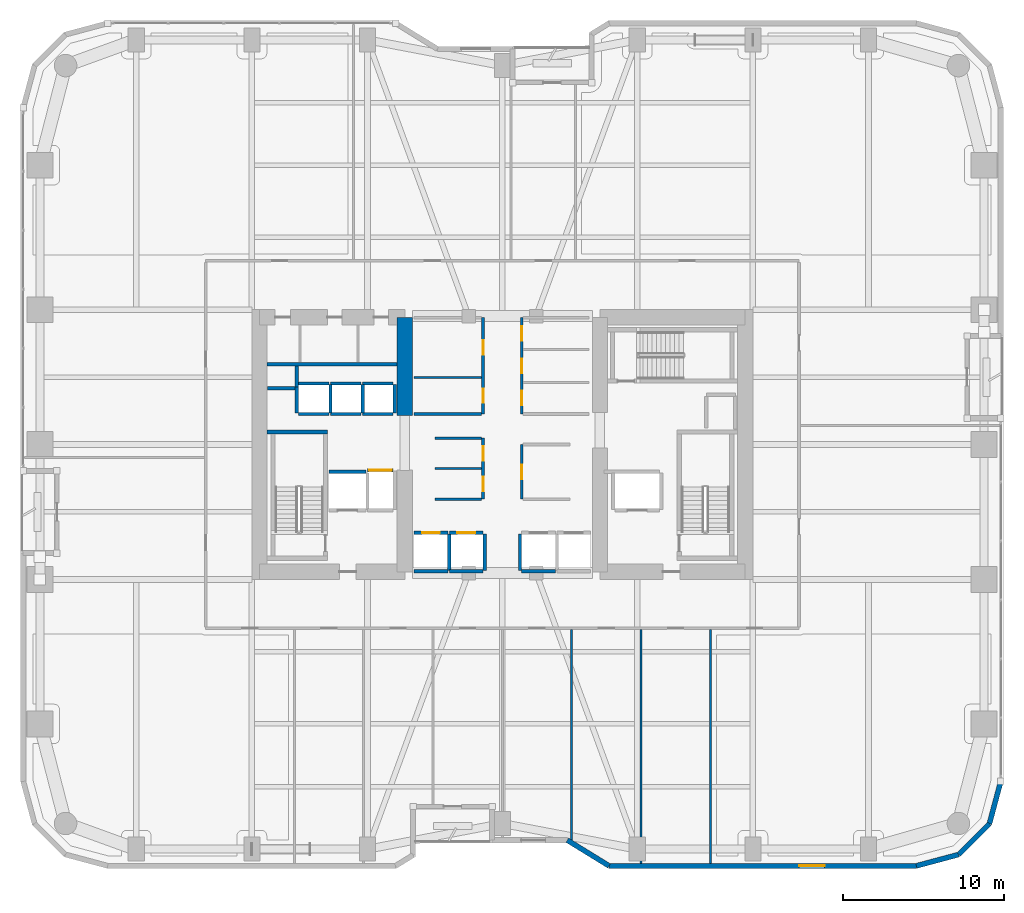
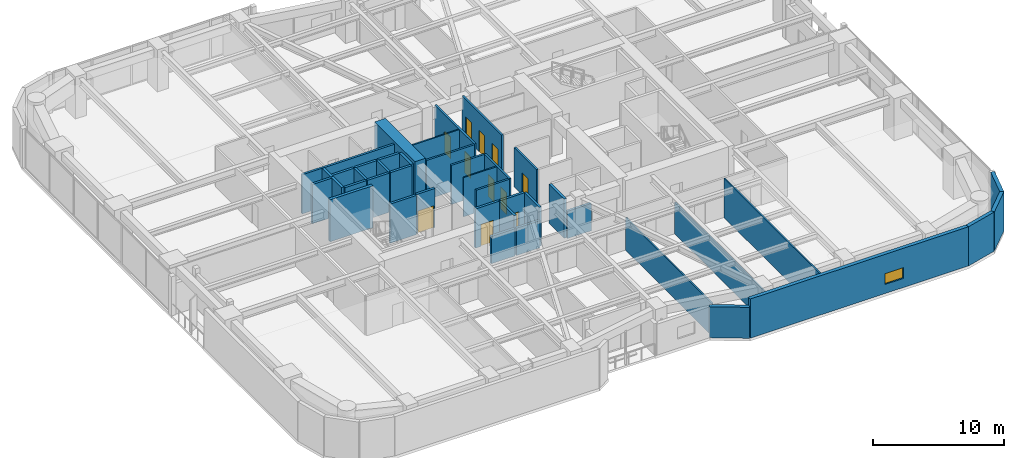
# One storey, part 23 of 28: 42 walls, 11 doors, 1 window, 12 openings.
"""IFC4 building model written with IfcOpenShell, lengths in metres."""

from ifc_helpers import new_model, si_unit, direction, frame, frame_2d, origin, place, context, subcontext, project, spatial, rectangle, extrude, material, layer, layer_set, type_object, element, fill, save


model = new_model("IFC4")

# Units and contexts
model_context = context("Model", 3, precision=1e-05, world=origin(), true_north=direction((0.0, 1.0)))
body_context = subcontext(model_context, "Body", "Model", "MODEL_VIEW")
ifc_project = project(units=[si_unit("LENGTHUNIT", "METRE"), si_unit("AREAUNIT", "SQUARE_METRE"), si_unit("VOLUMEUNIT", "CUBIC_METRE"), si_unit("PLANEANGLEUNIT", "RADIAN"), si_unit("MASSUNIT", "GRAM", prefix="KILO")], contexts=[model_context])

# Site, building, storey
site_placement = place(None, origin())
site = spatial("IfcSite", under=ifc_project, at=site_placement, CompositionType="ELEMENT")
building_placement = place(site_placement, origin())
building = spatial("IfcBuilding", under=site, at=building_placement, Name="Kiyonajd Concourse Tower", CompositionType="ELEMENT")
storey_placement = place(building_placement, frame((0.0, 0.0, 60.60009765625)))
storey = spatial("IfcBuildingStorey", under=building, at=storey_placement, Name="L16", CompositionType="ELEMENT", Elevation=60.60009765625)

# Walls
ifc_material_1 = material(Name="Concrete C80/95", Category="concrete")
ifc_layer_1 = layer(ifc_material_1, 0.949951171875)
ifc_layer_set_1 = layer_set([ifc_layer_1], Name="Concrete C80/95")
wall_type_1 = type_object("IfcWallType", Name="WL-CORE-950", PredefinedType="SHEAR", material=ifc_layer_set_1)
wall_1_placement = place(storey_placement, frame((41.925048828125, 37.800048828125, 0.0), z_axis=(0.0, 0.0, 1.0), x_axis=(0.0, 1.0, 0.0)))
element("IfcWall", 1, at=wall_1_placement, inside=storey, type_object=wall_type_1, Name="L16 West Core Inner North Shear Wall", PredefinedType="SHEAR", context=body_context, shape_type="SweptSolid", body=[
    extrude(rectangle(XDim=6.125, YDim=0.949951171875, at=frame_2d((3.0625, 0.0))), origin(), (0.0, 0.0, 1.0), 3.89990234375),
])
ifc_material_2 = material(Name="Precast concrete C50/60", Category="concrete")
ifc_layer_2 = layer(ifc_material_2, 0.320068359375)
ifc_layer_set_2 = layer_set([ifc_layer_2], Name="Precast concrete C50/60")
wall_type_2 = type_object("IfcWallType", Name="WL-EXT-320", PredefinedType="SOLIDWALL", material=ifc_layer_set_2)
wall_2_placement = place(storey_placement, frame((79.0400390625, 15.02099609375, 0.0), z_axis=(0.0, 0.0, 1.0), x_axis=(-0.25869736047, -0.965958423373, 0.0)))
element("IfcWall", 2, at=wall_2_placement, inside=storey, type_object=wall_type_2, Name="L16 Exterior Concrete Frame Wall 25", PredefinedType="SOLIDWALL", context=body_context, shape_type="SweptSolid", body=[
    extrude(rectangle(XDim=2.731201171875, YDim=0.320068359375, at=frame_2d((1.36572265625, 0.0))), origin(), (0.0, 0.0, 1.0), 3.639892578125),
])
wall_3_placement = place(storey_placement, frame((78.33349609375, 12.3828125, 0.0), z_axis=(0.0, 0.0, 1.0), x_axis=(-0.707106781187, -0.707106781187, 0.0)))
element("IfcWall", 3, at=wall_3_placement, inside=storey, type_object=wall_type_2, Name="L16 Exterior Concrete Frame Wall 26", PredefinedType="SOLIDWALL", context=body_context, shape_type="SweptSolid", body=[
    extrude(rectangle(XDim=2.7099609375, YDim=0.320068359375, at=frame_2d((1.35498046875, 0.0))), origin(), (0.0, 0.0, 1.0), 3.639892578125),
])
wall_4_placement = place(storey_placement, frame((76.417236328125, 10.466552734375, 0.0), z_axis=(0.0, 0.0, 1.0), x_axis=(-0.965964405026, -0.25867502435, 0.0)))
element("IfcWall", 4, at=wall_4_placement, inside=storey, type_object=wall_type_2, Name="L16 Exterior Concrete Frame Wall 27", PredefinedType="SOLIDWALL", context=body_context, shape_type="SweptSolid", body=[
    extrude(rectangle(XDim=2.7314453125, YDim=0.320068359375, at=frame_2d((1.36572265625, 0.0))), origin(), (0.0, 0.0, 1.0), 3.639892578125),
])

# Wall, opening, window
wall_5_placement = place(storey_placement, frame((73.77880859375, 9.760009765625, 0.0), z_axis=(0.0, 0.0, 1.0), x_axis=(-1.0, 0.0, 0.0)))
wall_5 = element("IfcWall", 5, at=wall_5_placement, inside=storey, type_object=wall_type_2, Name="L16 Exterior Concrete Frame Wall 28", PredefinedType="SOLIDWALL", context=body_context, shape_type="SweptSolid", body=[
    extrude(rectangle(XDim=19.133544921875, YDim=0.320068359375, at=frame_2d((9.56689453125, 0.0))), origin(), (0.0, 0.0, 1.0), 3.639892578125),
])
opening_1_placement = place(wall_5_placement, frame((5.7041015625, 0.0, 0.85009765625)))
opening_1 = element("IfcOpeningElement", 6, at=opening_1_placement, cuts=wall_5, Name="Opening WN6", PredefinedType="OPENING", context=body_context, shape_type="SweptSolid", body=[
    extrude(rectangle(XDim=1.60009765625, YDim=1.0, at=frame_2d((0.800048828125, 0.5))), frame((0.0, 0.169921875, 0.0), z_axis=(0.0, -1.0, 0.0), x_axis=(1.0, 0.0, 0.0)), (0.0, 0.0, 1.0), 0.340087890625),
])
ifc_material_3 = material(Name="Double Low-E Insulated Glass", Category="glass")
window_type = type_object("IfcWindowType", Name="WN-VIS-1600x1000", PartitioningType="SINGLE_PANEL", PredefinedType="WINDOW", material=ifc_material_3)
window_placement = place(opening_1_placement, origin())
window = element("IfcWindow", 7, at=window_placement, inside=storey, type_object=window_type, Name="L16 Modular Facade Vision Window 28", OverallHeight=1.0, OverallWidth=1.60009765625, PartitioningType="SINGLE_PANEL", PredefinedType="WINDOW", context=body_context, shape_type="SweptSolid", body=[
    extrude(rectangle(XDim=1.60009765625, YDim=1.0, at=frame_2d((0.800048828125, 0.5))), frame((0.0, 0.030029296875, 0.0), z_axis=(0.0, -1.0, 0.0), x_axis=(1.0, 0.0, 0.0)), (0.0, 0.0, 1.0), 0.06005859375),
])
fill(opening_1, window)

# Walls
wall_6_placement = place(storey_placement, frame((54.645263671875, 9.760009765625, 0.0), z_axis=(0.0, 0.0, 1.0), x_axis=(-0.851630857047, 0.524142044989, 0.0)))
element("IfcWall", 8, at=wall_6_placement, inside=storey, type_object=wall_type_2, Name="L16 Exterior Concrete Frame Wall 29", PredefinedType="SOLIDWALL", context=body_context, shape_type="SweptSolid", body=[
    extrude(rectangle(XDim=3.052734375, YDim=0.320068359375, at=frame_2d((1.5263671875, 0.0))), origin(), (0.0, 0.0, 1.0), 2.875),
])
ifc_material_4 = material(Name="Gypsum Board on Cold-Formed Steel Stud", Category="steel")
ifc_layer_3 = layer(ifc_material_4, 0.125)
ifc_layer_set_3 = layer_set([ifc_layer_3], Name="Gypsum Board on Cold-Formed Steel Stud")
wall_type_3 = type_object("IfcWallType", Name="WL-PART-125", PredefinedType="PARTITIONING", material=ifc_layer_set_3)
wall_7_placement = place(storey_placement, frame((43.800048828125, 34.5, 0.0), z_axis=(0.0, 0.0, 1.0), x_axis=(1.0, 0.0, 0.0)))
element("IfcWall", 9, at=wall_7_placement, inside=storey, type_object=wall_type_3, Name="L16 Interior Partition Wall", PredefinedType="PARTITIONING", context=body_context, shape_type="SweptSolid", body=[
    extrude(rectangle(XDim=2.912841796875, YDim=0.125, at=frame_2d((1.45654296875, 0.0))), origin(), (0.0, 0.0, 1.0), 3.639892578125),
])
wall_8_placement = place(storey_placement, frame((42.5, 40.179931640625, 0.0), z_axis=(0.0, 0.0, 1.0), x_axis=(1.0, 0.0, 0.0)))
element("IfcWall", 10, at=wall_8_placement, inside=storey, type_object=wall_type_3, Name="L16 Interior Partition Wall", PredefinedType="PARTITIONING", context=body_context, shape_type="SweptSolid", body=[
    extrude(rectangle(XDim=4.212890625, YDim=0.125, at=frame_2d((2.1064453125, 0.0))), origin(), (0.0, 0.0, 1.0), 3.639892578125),
])
wall_9_placement = place(storey_placement, frame((52.320068359375, 11.345947265625, 0.0), z_axis=(0.0, 0.0, 1.0), x_axis=(0.0, 1.0, 0.0)))
element("IfcWall", 11, at=wall_9_placement, inside=storey, type_object=wall_type_3, Name="L16 Interior Partition Wall", PredefinedType="PARTITIONING", context=body_context, shape_type="SweptSolid", body=[
    extrude(rectangle(XDim=13.126953125, YDim=0.125, at=frame_2d((6.5634765625, 0.0))), origin(), (0.0, 0.0, 1.0), 3.0029296875),
])
wall_10_placement = place(storey_placement, frame((56.639892578125, 9.9150390625, 0.0), z_axis=(0.0, 0.0, 1.0), x_axis=(0.0, 1.0, 0.0)))
element("IfcWall", 12, at=wall_10_placement, inside=storey, type_object=wall_type_3, Name="L16 Interior Partition Wall", PredefinedType="PARTITIONING", context=body_context, shape_type="SweptSolid", body=[
    extrude(rectangle(XDim=14.557861328125, YDim=0.125, at=frame_2d((7.27880859375, 0.0))), origin(), (0.0, 0.0, 1.0), 2.929931640625),
])
wall_11_placement = place(storey_placement, frame((60.9599609375, 9.9150390625, 0.0), z_axis=(0.0, 0.0, 1.0), x_axis=(0.0, 1.0, 0.0)))
element("IfcWall", 13, at=wall_11_placement, inside=storey, type_object=wall_type_3, Name="L16 Interior Partition Wall", PredefinedType="PARTITIONING", context=body_context, shape_type="SweptSolid", body=[
    extrude(rectangle(XDim=14.557861328125, YDim=0.125, at=frame_2d((7.27880859375, 0.0))), origin(), (0.0, 0.0, 1.0), 3.639892578125),
])
ifc_layer_4 = layer(ifc_material_4, 0.18994140625)
ifc_layer_set_4 = layer_set([ifc_layer_4], Name="Gypsum Board on Cold-Formed Steel Stud")
wall_type_4 = type_object("IfcWallType", Name="WL-PLMB-190", PredefinedType="PLUMBINGWALL", material=ifc_layer_set_4)
wall_12_placement = place(storey_placement, frame((33.35009765625, 41.0, 0.0), z_axis=(0.0, 0.0, 1.0), x_axis=(1.0, 0.0, 0.0)))
element("IfcWall", 14, at=wall_12_placement, inside=storey, type_object=wall_type_4, Name="L16 Interior Partition Wall", PredefinedType="PLUMBINGWALL", context=body_context, shape_type="SweptSolid", body=[
    extrude(rectangle(XDim=8.099853515625, YDim=0.18994140625, at=frame_2d((4.0498046875, 0.0))), origin(), (0.0, 0.0, 1.0), 3.639892578125),
])
ifc_layer_5 = layer(ifc_material_4, 0.2099609375)
ifc_layer_set_5 = layer_set([ifc_layer_5], Name="Gypsum Board on Cold-Formed Steel Stud")
wall_type_5 = type_object("IfcWallType", Name="WL-SHAFT-210", PredefinedType="PARTITIONING", material=ifc_layer_set_5)
wall_13_placement = place(storey_placement, frame((33.360107421875, 39.5, 0.0), z_axis=(0.0, 0.0, 1.0), x_axis=(1.0, 0.0, 0.0)))
element("IfcWall", 15, at=wall_13_placement, inside=storey, type_object=wall_type_5, Name="L16 Shaft Enclosure Wall", PredefinedType="PARTITIONING", context=body_context, shape_type="SweptSolid", body=[
    extrude(rectangle(XDim=1.85986328125, YDim=0.2099609375, at=frame_2d((0.929931640625, 0.0))), origin(), (0.0, 0.0, 1.0), 3.639892578125),
])
wall_14_placement = place(storey_placement, frame((35.199951171875, 39.580078125, 0.0), z_axis=(0.0, 0.0, 1.0), x_axis=(0.0, 1.0, 0.0)))
element("IfcWall", 16, at=wall_14_placement, inside=storey, type_object=wall_type_5, Name="L16 Shaft Enclosure Wall", PredefinedType="PARTITIONING", context=body_context, shape_type="SweptSolid", body=[
    extrude(rectangle(XDim=1.31982421875, YDim=0.2099609375, at=frame_2d((0.659912109375, 0.0))), origin(), (0.0, 0.0, 1.0), 3.639892578125),
])
wall_15_placement = place(storey_placement, frame((37.199951171875, 34.300048828125, 0.0), z_axis=(0.0, 0.0, 1.0), x_axis=(1.0, 0.0, 0.0)))
element("IfcWall", 17, at=wall_15_placement, inside=storey, type_object=wall_type_5, Name="L16 Shaft Enclosure Wall", PredefinedType="PARTITIONING", context=body_context, shape_type="SweptSolid", body=[
    extrude(rectangle(XDim=2.300048828125, YDim=0.2099609375, at=frame_2d((1.14990234375, 0.0))), origin(), (0.0, 0.0, 1.0), 3.639892578125),
])

# Wall, opening, door
wall_16_placement = place(storey_placement, frame((39.60009765625, 34.39990234375, 0.0), z_axis=(0.0, 0.0, 1.0), x_axis=(1.0, 0.0, 0.0)))
wall_16 = element("IfcWall", 18, at=wall_16_placement, inside=storey, type_object=wall_type_5, Name="L16 Shaft Enclosure Wall", PredefinedType="PARTITIONING", context=body_context, shape_type="SweptSolid", body=[
    extrude(rectangle(XDim=1.599853515625, YDim=0.2099609375, at=frame_2d((0.7998046875, 0.0))), origin(), (0.0, 0.0, 1.0), 3.639892578125),
])
opening_2_placement = place(wall_16_placement, frame((0.10009765625, 0.0, 0.0)))
opening_2 = element("IfcOpeningElement", 19, at=opening_2_placement, cuts=wall_16, Name="Opening LD3", PredefinedType="OPENING", context=body_context, shape_type="SweptSolid", body=[
    extrude(rectangle(XDim=1.39990234375, YDim=2.06005859375, at=frame_2d((0.699951171875, 1.030029296875))), frame((0.0, 0.114990234375, 0.0), z_axis=(0.0, -1.0, 0.0), x_axis=(1.0, 0.0, 0.0)), (0.0, 0.0, 1.0), 0.22998046875),
])
ifc_material_5 = material(Name="Brushed Stainless Steel Cab Assembly", Category="steel")
door_type_1 = type_object("IfcDoorType", Name="DR-LD-1400", OperationType="DOUBLE_DOOR_SLIDING", PredefinedType="DOOR", material=ifc_material_5)
door_1_placement = place(opening_2_placement, origin())
door_1 = element("IfcDoor", 20, at=door_1_placement, inside=storey, type_object=door_type_1, Name="L16 Lift SVL1 Sliding Landing Door", OperationType="DOUBLE_DOOR_SLIDING", OverallHeight=2.06005859375, OverallWidth=1.39990234375, PredefinedType="DOOR", context=body_context, shape_type="SweptSolid", body=[
    extrude(rectangle(XDim=1.39990234375, YDim=2.06005859375, at=frame_2d((0.699951171875, 1.030029296875))), frame((0.0, 0.02490234375, 0.0), z_axis=(0.0, -1.0, 0.0), x_axis=(1.0, 0.0, 0.0)), (0.0, 0.0, 1.0), 0.050048828125),
])
fill(opening_2, door_1)

wall_17_placement = place(storey_placement, frame((42.5, 30.5, 0.0), z_axis=(0.0, 0.0, 1.0), x_axis=(1.0, 0.0, 0.0)))
wall_17 = element("IfcWall", 21, at=wall_17_placement, inside=storey, type_object=wall_type_5, Name="L16 Shaft Enclosure Wall", PredefinedType="PARTITIONING", context=body_context, shape_type="SweptSolid", body=[
    extrude(rectangle(XDim=2.10009765625, YDim=0.2099609375, at=frame_2d((1.050048828125, 0.0))), origin(), (0.0, 0.0, 1.0), 3.639892578125),
])
opening_3_placement = place(wall_17_placement, frame((0.5, 0.0, 0.0)))
opening_3 = element("IfcOpeningElement", 22, at=opening_3_placement, cuts=wall_17, Name="Opening LD1", PredefinedType="OPENING", context=body_context, shape_type="SweptSolid", body=[
    extrude(rectangle(XDim=1.10009765625, YDim=2.0400390625, at=frame_2d((0.550048828125, 1.02001953125))), frame((0.0, 0.114990234375, 0.0), z_axis=(0.0, -1.0, 0.0), x_axis=(1.0, 0.0, 0.0)), (0.0, 0.0, 1.0), 0.22998046875),
])
door_type_2 = type_object("IfcDoorType", Name="DR-LD-1100", OperationType="DOUBLE_DOOR_SLIDING", PredefinedType="DOOR", material=ifc_material_5)
door_2_placement = place(opening_3_placement, origin())
door_2 = element("IfcDoor", 23, at=door_2_placement, inside=storey, type_object=door_type_2, Name="L16 Lift PL-L1 Sliding Landing Door", OperationType="DOUBLE_DOOR_SLIDING", OverallHeight=2.0400390625, OverallWidth=1.10009765625, PredefinedType="DOOR", context=body_context, shape_type="SweptSolid", body=[
    extrude(rectangle(XDim=1.10009765625, YDim=2.0400390625, at=frame_2d((0.550048828125, 1.02001953125))), frame((0.0, 0.02490234375, 0.0), z_axis=(0.0, -1.0, 0.0), x_axis=(1.0, 0.0, 0.0)), (0.0, 0.0, 1.0), 0.050048828125),
])
fill(opening_3, door_2)

# Walls
wall_18_placement = place(storey_placement, frame((42.5, 28.10009765625, 0.0), z_axis=(0.0, 0.0, 1.0), x_axis=(1.0, 0.0, 0.0)))
element("IfcWall", 24, at=wall_18_placement, inside=storey, type_object=wall_type_5, Name="L16 Shaft Enclosure Wall", PredefinedType="PARTITIONING", context=body_context, shape_type="SweptSolid", body=[
    extrude(rectangle(XDim=2.10009765625, YDim=0.2099609375, at=frame_2d((1.050048828125, 0.0))), origin(), (0.0, 0.0, 1.0), 2.52490234375),
])
wall_19_placement = place(storey_placement, frame((44.699951171875, 28.159912109375, 0.0), z_axis=(0.0, 0.0, 1.0), x_axis=(0.0, 1.0, 0.0)))
element("IfcWall", 25, at=wall_19_placement, inside=storey, type_object=wall_type_5, Name="L16 Shaft Enclosure Wall", PredefinedType="PARTITIONING", context=body_context, shape_type="SweptSolid", body=[
    extrude(rectangle(XDim=2.280029296875, YDim=0.2099609375, at=frame_2d((1.14013671875, 0.0))), origin(), (0.0, 0.0, 1.0), 3.639892578125),
])

# Wall, opening, door
wall_20_placement = place(storey_placement, frame((44.699951171875, 30.5, 0.0), z_axis=(0.0, 0.0, 1.0), x_axis=(1.0, 0.0, 0.0)))
wall_20 = element("IfcWall", 26, at=wall_20_placement, inside=storey, type_object=wall_type_5, Name="L16 Shaft Enclosure Wall", PredefinedType="PARTITIONING", context=body_context, shape_type="SweptSolid", body=[
    extrude(rectangle(XDim=2.10009765625, YDim=0.2099609375, at=frame_2d((1.050048828125, 0.0))), origin(), (0.0, 0.0, 1.0), 3.639892578125),
])
opening_4_placement = place(wall_20_placement, frame((0.5, 0.0, 0.0)))
opening_4 = element("IfcOpeningElement", 27, at=opening_4_placement, cuts=wall_20, Name="Opening LD1", PredefinedType="OPENING", context=body_context, shape_type="SweptSolid", body=[
    extrude(rectangle(XDim=1.10009765625, YDim=2.0400390625, at=frame_2d((0.550048828125, 1.02001953125))), frame((0.0, 0.114990234375, 0.0), z_axis=(0.0, -1.0, 0.0), x_axis=(1.0, 0.0, 0.0)), (0.0, 0.0, 1.0), 0.22998046875),
])
door_3_placement = place(opening_4_placement, origin())
door_3 = element("IfcDoor", 28, at=door_3_placement, inside=storey, type_object=door_type_2, Name="L16 Lift PL-L2 Sliding Landing Door", OperationType="DOUBLE_DOOR_SLIDING", OverallHeight=2.0400390625, OverallWidth=1.10009765625, PredefinedType="DOOR", context=body_context, shape_type="SweptSolid", body=[
    extrude(rectangle(XDim=1.10009765625, YDim=2.0400390625, at=frame_2d((0.550048828125, 1.02001953125))), frame((0.0, 0.02490234375, 0.0), z_axis=(0.0, -1.0, 0.0), x_axis=(1.0, 0.0, 0.0)), (0.0, 0.0, 1.0), 0.050048828125),
])
fill(opening_4, door_3)

# Walls
wall_21_placement = place(storey_placement, frame((44.699951171875, 28.10009765625, 0.0), z_axis=(0.0, 0.0, 1.0), x_axis=(1.0, 0.0, 0.0)))
element("IfcWall", 29, at=wall_21_placement, inside=storey, type_object=wall_type_5, Name="L16 Shaft Enclosure Wall", PredefinedType="PARTITIONING", context=body_context, shape_type="SweptSolid", body=[
    extrude(rectangle(XDim=2.10009765625, YDim=0.2099609375, at=frame_2d((1.050048828125, 0.0))), origin(), (0.0, 0.0, 1.0), 2.52490234375),
])
wall_22_placement = place(storey_placement, frame((46.89990234375, 28.159912109375, 0.0), z_axis=(0.0, 0.0, 1.0), x_axis=(0.0, 1.0, 0.0)))
element("IfcWall", 30, at=wall_22_placement, inside=storey, type_object=wall_type_5, Name="L16 Shaft Enclosure Wall", PredefinedType="PARTITIONING", context=body_context, shape_type="SweptSolid", body=[
    extrude(rectangle(XDim=2.280029296875, YDim=0.2099609375, at=frame_2d((1.14013671875, 0.0))), origin(), (0.0, 0.0, 1.0), 3.639892578125),
])
wall_23_placement = place(storey_placement, frame((49.199951171875, 28.10009765625, 0.0), z_axis=(0.0, 0.0, 1.0), x_axis=(1.0, 0.0, 0.0)))
element("IfcWall", 31, at=wall_23_placement, inside=storey, type_object=wall_type_5, Name="L16 Shaft Enclosure Wall", PredefinedType="PARTITIONING", context=body_context, shape_type="SweptSolid", body=[
    extrude(rectangle(XDim=2.10009765625, YDim=0.2099609375, at=frame_2d((1.050048828125, 0.0))), origin(), (0.0, 0.0, 1.0), 2.52490234375),
])
wall_24_placement = place(storey_placement, frame((49.10009765625, 28.159912109375, 0.0), z_axis=(0.0, 0.0, 1.0), x_axis=(0.0, 1.0, 0.0)))
element("IfcWall", 32, at=wall_24_placement, inside=storey, type_object=wall_type_5, Name="L16 Shaft Enclosure Wall", PredefinedType="PARTITIONING", context=body_context, shape_type="SweptSolid", body=[
    extrude(rectangle(XDim=2.280029296875, YDim=0.2099609375, at=frame_2d((1.14013671875, 0.0))), origin(), (0.0, 0.0, 1.0), 3.639892578125),
])
for number, where, z_axis, x_axis, name in (
    (33, (35.300048828125, 37.89990234375, 0.0), (0.0, 0.0, 1.0), (1.0, 0.0, 0.0), "L16 Shaft Enclosure Wall"),
    (34, (35.300048828125, 39.800048828125, 0.0), (0.0, 0.0, 1.0), (1.0, 0.0, 0.0), "L16 Shaft Enclosure Wall"),
):
    element("IfcWall", number, at=place(storey_placement, frame(where, z_axis=z_axis, x_axis=x_axis)), inside=storey, type_object=wall_type_5, Name=name, PredefinedType="PARTITIONING", context=body_context, shape_type="SweptSolid", body=[
        extrude(rectangle(XDim=1.89990234375, YDim=0.2099609375, at=frame_2d((0.949951171875, 0.0))), origin(), (0.0, 0.0, 1.0), 3.639892578125),
    ])
wall_25_placement = place(storey_placement, frame((35.199951171875, 37.9599609375, 0.0), z_axis=(0.0, 0.0, 1.0), x_axis=(0.0, 1.0, 0.0)))
element("IfcWall", 35, at=wall_25_placement, inside=storey, type_object=wall_type_5, Name="L16 Shaft Enclosure Wall", PredefinedType="PARTITIONING", context=body_context, shape_type="SweptSolid", body=[
    extrude(rectangle(XDim=1.6201171875, YDim=0.2099609375, at=frame_2d((0.81005859375, 0.0))), origin(), (0.0, 0.0, 1.0), 3.639892578125),
])
wall_26_placement = place(storey_placement, frame((37.300048828125, 37.9599609375, 0.0), z_axis=(0.0, 0.0, 1.0), x_axis=(0.0, 1.0, 0.0)))
element("IfcWall", 36, at=wall_26_placement, inside=storey, type_object=wall_type_5, Name="L16 Shaft Enclosure Wall", PredefinedType="PARTITIONING", context=body_context, shape_type="SweptSolid", body=[
    extrude(rectangle(XDim=1.780029296875, YDim=0.2099609375, at=frame_2d((0.89013671875, 0.0))), origin(), (0.0, 0.0, 1.0), 3.639892578125),
])
for number, where, z_axis, x_axis, name in (
    (37, (37.300048828125, 37.89990234375, 0.0), (0.0, 0.0, 1.0), (1.0, 0.0, 0.0), "L16 Shaft Enclosure Wall"),
    (38, (37.300048828125, 39.800048828125, 0.0), (0.0, 0.0, 1.0), (1.0, 0.0, 0.0), "L16 Shaft Enclosure Wall"),
):
    element("IfcWall", number, at=place(storey_placement, frame(where, z_axis=z_axis, x_axis=x_axis)), inside=storey, type_object=wall_type_5, Name=name, PredefinedType="PARTITIONING", context=body_context, shape_type="SweptSolid", body=[
        extrude(rectangle(XDim=1.89990234375, YDim=0.2099609375, at=frame_2d((0.949951171875, 0.0))), origin(), (0.0, 0.0, 1.0), 3.639892578125),
    ])
wall_27_placement = place(storey_placement, frame((39.300048828125, 37.9599609375, 0.0), z_axis=(0.0, 0.0, 1.0), x_axis=(0.0, 1.0, 0.0)))
element("IfcWall", 39, at=wall_27_placement, inside=storey, type_object=wall_type_5, Name="L16 Shaft Enclosure Wall", PredefinedType="PARTITIONING", context=body_context, shape_type="SweptSolid", body=[
    extrude(rectangle(XDim=1.780029296875, YDim=0.2099609375, at=frame_2d((0.89013671875, 0.0))), origin(), (0.0, 0.0, 1.0), 3.639892578125),
])
for number, where, z_axis, x_axis, name in (
    (40, (39.300048828125, 37.89990234375, 0.0), (0.0, 0.0, 1.0), (1.0, 0.0, 0.0), "L16 Shaft Enclosure Wall"),
    (41, (39.300048828125, 39.800048828125, 0.0), (0.0, 0.0, 1.0), (1.0, 0.0, 0.0), "L16 Shaft Enclosure Wall"),
):
    element("IfcWall", number, at=place(storey_placement, frame(where, z_axis=z_axis, x_axis=x_axis)), inside=storey, type_object=wall_type_5, Name=name, PredefinedType="PARTITIONING", context=body_context, shape_type="SweptSolid", body=[
        extrude(rectangle(XDim=1.89990234375, YDim=0.2099609375, at=frame_2d((0.949951171875, 0.0))), origin(), (0.0, 0.0, 1.0), 3.639892578125),
    ])
wall_28_placement = place(storey_placement, frame((41.300048828125, 37.9599609375, 0.0), z_axis=(0.0, 0.0, 1.0), x_axis=(0.0, 1.0, 0.0)))
element("IfcWall", 42, at=wall_28_placement, inside=storey, type_object=wall_type_5, Name="L16 Shaft Enclosure Wall", PredefinedType="PARTITIONING", context=body_context, shape_type="SweptSolid", body=[
    extrude(rectangle(XDim=1.780029296875, YDim=0.2099609375, at=frame_2d((0.89013671875, 0.0))), origin(), (0.0, 0.0, 1.0), 3.639892578125),
])

# Wall, openings, doors
ifc_layer_6 = layer(ifc_material_4, 0.169921875)
ifc_layer_set_6 = layer_set([ifc_layer_6], Name="Gypsum Board on Cold-Formed Steel Stud")
wall_type_6 = type_object("IfcWallType", Name="WL-SMK-170", PredefinedType="PARTITIONING", material=ifc_layer_set_6)
wall_29_placement = place(storey_placement, frame((46.800048828125, 32.60009765625, 0.0), z_axis=(0.0, 0.0, 1.0), x_axis=(0.0, 1.0, 0.0)))
wall_29 = element("IfcWall", 43, at=wall_29_placement, inside=storey, type_object=wall_type_6, Name="L16 Interior Partition Wall", PredefinedType="PARTITIONING", context=body_context, shape_type="SweptSolid", body=[
    extrude(rectangle(XDim=3.7998046875, YDim=0.169921875, at=frame_2d((1.89990234375, 0.0))), origin(), (0.0, 0.0, 1.0), 3.639892578125),
])
opening_5_placement = place(wall_29_placement, frame((0.5, 0.0, 0.0)))
opening_5 = element("IfcOpeningElement", 44, at=opening_5_placement, cuts=wall_29, Name="Opening DI2", PredefinedType="OPENING", context=body_context, shape_type="SweptSolid", body=[
    extrude(rectangle(XDim=0.89990234375, YDim=2.02001953125, at=frame_2d((0.449951171875, 1.010009765625))), frame((0.0, 0.094970703125, 0.0), z_axis=(0.0, -1.0, 0.0), x_axis=(1.0, 0.0, 0.0)), (0.0, 0.0, 1.0), 0.18994140625),
])
opening_6_placement = place(wall_29_placement, frame((2.39990234375, 0.0, 0.0)))
opening_6 = element("IfcOpeningElement", 45, at=opening_6_placement, cuts=wall_29, Name="Opening DI2", PredefinedType="OPENING", context=body_context, shape_type="SweptSolid", body=[
    extrude(rectangle(XDim=0.89990234375, YDim=2.02001953125, at=frame_2d((0.449951171875, 1.010009765625))), frame((0.0, 0.094970703125, 0.0), z_axis=(0.0, -1.0, 0.0), x_axis=(1.0, 0.0, 0.0)), (0.0, 0.0, 1.0), 0.18994140625),
])
ifc_material_6 = material(Name="Natural Oak Acoustic Timber Veneer", Category="wood")
door_type_3 = type_object("IfcDoorType", Name="DR-INT-900", OperationType="NOTDEFINED", PredefinedType="DOOR", material=ifc_material_6)
door_4_placement = place(opening_5_placement, origin())
door_4 = element("IfcDoor", 46, at=door_4_placement, inside=storey, type_object=door_type_3, Name="L16 Interior Door", OperationType="SINGLE_SWING_LEFT", OverallHeight=2.02001953125, OverallWidth=0.89990234375, PredefinedType="DOOR", context=body_context, shape_type="SweptSolid", body=[
    extrude(rectangle(XDim=0.89990234375, YDim=2.02001953125, at=frame_2d((0.449951171875, 1.010009765625))), frame((0.0, 0.02490234375, 0.0), z_axis=(0.0, -1.0, 0.0), x_axis=(1.0, 0.0, 0.0)), (0.0, 0.0, 1.0), 0.050048828125),
])
fill(opening_5, door_4)
door_5_placement = place(opening_6_placement, origin())
door_5 = element("IfcDoor", 47, at=door_5_placement, inside=storey, type_object=door_type_3, Name="L16 Interior Door", OperationType="SINGLE_SWING_RIGHT", OverallHeight=2.02001953125, OverallWidth=0.89990234375, PredefinedType="DOOR", context=body_context, shape_type="SweptSolid", body=[
    extrude(rectangle(XDim=0.89990234375, YDim=2.02001953125, at=frame_2d((0.449951171875, 1.010009765625))), frame((0.0, 0.02490234375, 0.0), z_axis=(0.0, -1.0, 0.0), x_axis=(1.0, 0.0, 0.0)), (0.0, 0.0, 1.0), 0.050048828125),
])
fill(opening_6, door_5)

# Walls
for number, where, z_axis, x_axis, name in (
    (48, (43.800048828125, 32.60009765625, 0.0), (0.0, 0.0, 1.0), (1.0, 0.0, 0.0), "L16 Interior Partition Wall"),
    (49, (43.800048828125, 36.39990234375, 0.0), (0.0, 0.0, 1.0), (1.0, 0.0, 0.0), "L16 Interior Partition Wall"),
):
    element("IfcWall", number, at=place(storey_placement, frame(where, z_axis=z_axis, x_axis=x_axis)), inside=storey, type_object=wall_type_6, Name=name, PredefinedType="PARTITIONING", context=body_context, shape_type="SweptSolid", body=[
        extrude(rectangle(XDim=2.912841796875, YDim=0.169921875, at=frame_2d((1.45654296875, 0.0))), origin(), (0.0, 0.0, 1.0), 3.639892578125),
    ])

# Wall, opening, door
wall_30_placement = place(storey_placement, frame((49.199951171875, 32.60009765625, 0.0), z_axis=(0.0, 0.0, 1.0), x_axis=(0.0, 1.0, 0.0)))
wall_30 = element("IfcWall", 50, at=wall_30_placement, inside=storey, type_object=wall_type_6, Name="L16 Interior Partition Wall", PredefinedType="PARTITIONING", context=body_context, shape_type="SweptSolid", body=[
    extrude(rectangle(XDim=3.39990234375, YDim=0.169921875, at=frame_2d((1.699951171875, 0.0))), origin(), (0.0, 0.0, 1.0), 3.639892578125),
])
opening_7_placement = place(wall_30_placement, frame((1.25, 0.0, 0.0)))
opening_7 = element("IfcOpeningElement", 51, at=opening_7_placement, cuts=wall_30, Name="Opening DI2", PredefinedType="OPENING", context=body_context, shape_type="SweptSolid", body=[
    extrude(rectangle(XDim=0.89990234375, YDim=2.02001953125, at=frame_2d((0.449951171875, 1.010009765625))), frame((0.0, 0.094970703125, 0.0), z_axis=(0.0, -1.0, 0.0), x_axis=(1.0, 0.0, 0.0)), (0.0, 0.0, 1.0), 0.18994140625),
])
door_6_placement = place(opening_7_placement, origin())
door_6 = element("IfcDoor", 52, at=door_6_placement, inside=storey, type_object=door_type_3, Name="L16 Interior Door", OperationType="SINGLE_SWING_LEFT", OverallHeight=2.02001953125, OverallWidth=0.89990234375, PredefinedType="DOOR", context=body_context, shape_type="SweptSolid", body=[
    extrude(rectangle(XDim=0.89990234375, YDim=2.02001953125, at=frame_2d((0.449951171875, 1.010009765625))), frame((0.0, 0.02490234375, 0.0), z_axis=(0.0, -1.0, 0.0), x_axis=(1.0, 0.0, 0.0)), (0.0, 0.0, 1.0), 0.050048828125),
])
fill(opening_7, door_6)

# Wall, openings, doors
wall_31_placement = place(storey_placement, frame((46.800048828125, 37.89990234375, 0.0), z_axis=(0.0, 0.0, 1.0), x_axis=(0.0, 1.0, 0.0)))
wall_31 = element("IfcWall", 53, at=wall_31_placement, inside=storey, type_object=wall_type_6, Name="L16 Interior Partition Wall", PredefinedType="PARTITIONING", context=body_context, shape_type="SweptSolid", body=[
    extrude(rectangle(XDim=6.0, YDim=0.169921875, at=frame_2d((3.0, 0.0))), origin(), (0.0, 0.0, 1.0), 3.639892578125),
])
opening_8_placement = place(wall_31_placement, frame((0.68994140625, 0.0, 0.0)))
opening_8 = element("IfcOpeningElement", 54, at=opening_8_placement, cuts=wall_31, Name="Opening DI2", PredefinedType="OPENING", context=body_context, shape_type="SweptSolid", body=[
    extrude(rectangle(XDim=0.89990234375, YDim=2.02001953125, at=frame_2d((0.449951171875, 1.010009765625))), frame((0.0, 0.094970703125, 0.0), z_axis=(0.0, -1.0, 0.0), x_axis=(1.0, 0.0, 0.0)), (0.0, 0.0, 1.0), 0.18994140625),
])
opening_9_placement = place(wall_31_placement, frame((3.68994140625, 0.0, 0.0)))
opening_9 = element("IfcOpeningElement", 55, at=opening_9_placement, cuts=wall_31, Name="Opening DI2", PredefinedType="OPENING", context=body_context, shape_type="SweptSolid", body=[
    extrude(rectangle(XDim=0.89990234375, YDim=2.02001953125, at=frame_2d((0.449951171875, 1.010009765625))), frame((0.0, 0.094970703125, 0.0), z_axis=(0.0, -1.0, 0.0), x_axis=(1.0, 0.0, 0.0)), (0.0, 0.0, 1.0), 0.18994140625),
])
door_7_placement = place(opening_8_placement, origin())
door_7 = element("IfcDoor", 56, at=door_7_placement, inside=storey, type_object=door_type_3, Name="L16 Interior Door", OperationType="SINGLE_SWING_RIGHT", OverallHeight=2.02001953125, OverallWidth=0.89990234375, PredefinedType="DOOR", context=body_context, shape_type="SweptSolid", body=[
    extrude(rectangle(XDim=0.89990234375, YDim=2.02001953125, at=frame_2d((0.449951171875, 1.010009765625))), frame((0.0, 0.02490234375, 0.0), z_axis=(0.0, -1.0, 0.0), x_axis=(1.0, 0.0, 0.0)), (0.0, 0.0, 1.0), 0.050048828125),
])
fill(opening_8, door_7)
door_8_placement = place(opening_9_placement, origin())
door_8 = element("IfcDoor", 57, at=door_8_placement, inside=storey, type_object=door_type_3, Name="L16 Interior Door", OperationType="SINGLE_SWING_LEFT", OverallHeight=2.02001953125, OverallWidth=0.89990234375, PredefinedType="DOOR", context=body_context, shape_type="SweptSolid", body=[
    extrude(rectangle(XDim=0.89990234375, YDim=2.02001953125, at=frame_2d((0.449951171875, 1.010009765625))), frame((0.0, 0.02490234375, 0.0), z_axis=(0.0, -1.0, 0.0), x_axis=(1.0, 0.0, 0.0)), (0.0, 0.0, 1.0), 0.050048828125),
])
fill(opening_9, door_8)

# Wall
wall_32_placement = place(storey_placement, frame((42.5, 37.89990234375, 0.0), z_axis=(0.0, 0.0, 1.0), x_axis=(1.0, 0.0, 0.0)))
element("IfcWall", 58, at=wall_32_placement, inside=storey, type_object=wall_type_6, Name="L16 Interior Partition Wall", PredefinedType="PARTITIONING", context=body_context, shape_type="SweptSolid", body=[
    extrude(rectangle(XDim=4.212890625, YDim=0.169921875, at=frame_2d((2.1064453125, 0.0))), origin(), (0.0, 0.0, 1.0), 3.639892578125),
])

# Wall, openings, doors
wall_33_placement = place(storey_placement, frame((49.199951171875, 37.89990234375, 0.0), z_axis=(0.0, 0.0, 1.0), x_axis=(0.0, 1.0, 0.0)))
wall_33 = element("IfcWall", 59, at=wall_33_placement, inside=storey, type_object=wall_type_6, Name="L16 Interior Partition Wall", PredefinedType="PARTITIONING", context=body_context, shape_type="SweptSolid", body=[
    extrude(rectangle(XDim=6.0, YDim=0.169921875, at=frame_2d((3.0, 0.0))), origin(), (0.0, 0.0, 1.0), 3.639892578125),
])
opening_10_placement = place(wall_33_placement, frame((0.5400390625, 0.0, 0.0)))
opening_10 = element("IfcOpeningElement", 60, at=opening_10_placement, cuts=wall_33, Name="Opening DI2", PredefinedType="OPENING", context=body_context, shape_type="SweptSolid", body=[
    extrude(rectangle(XDim=0.89990234375, YDim=2.02001953125, at=frame_2d((0.449951171875, 1.010009765625))), frame((0.0, 0.094970703125, 0.0), z_axis=(0.0, -1.0, 0.0), x_axis=(1.0, 0.0, 0.0)), (0.0, 0.0, 1.0), 0.18994140625),
])
opening_11_placement = place(wall_33_placement, frame((2.550048828125, 0.0, 0.0)))
opening_11 = element("IfcOpeningElement", 61, at=opening_11_placement, cuts=wall_33, Name="Opening DI2", PredefinedType="OPENING", context=body_context, shape_type="SweptSolid", body=[
    extrude(rectangle(XDim=0.89990234375, YDim=2.02001953125, at=frame_2d((0.449951171875, 1.010009765625))), frame((0.0, 0.094970703125, 0.0), z_axis=(0.0, -1.0, 0.0), x_axis=(1.0, 0.0, 0.0)), (0.0, 0.0, 1.0), 0.18994140625),
])
opening_12_placement = place(wall_33_placement, frame((4.56005859375, 0.0, 0.0)))
opening_12 = element("IfcOpeningElement", 62, at=opening_12_placement, cuts=wall_33, Name="Opening DI2", PredefinedType="OPENING", context=body_context, shape_type="SweptSolid", body=[
    extrude(rectangle(XDim=0.89990234375, YDim=2.02001953125, at=frame_2d((0.449951171875, 1.010009765625))), frame((0.0, 0.094970703125, 0.0), z_axis=(0.0, -1.0, 0.0), x_axis=(1.0, 0.0, 0.0)), (0.0, 0.0, 1.0), 0.18994140625),
])
door_9_placement = place(opening_10_placement, origin())
door_9 = element("IfcDoor", 63, at=door_9_placement, inside=storey, type_object=door_type_3, Name="L16 Interior Door", OperationType="SINGLE_SWING_RIGHT", OverallHeight=2.02001953125, OverallWidth=0.89990234375, PredefinedType="DOOR", context=body_context, shape_type="SweptSolid", body=[
    extrude(rectangle(XDim=0.89990234375, YDim=2.02001953125, at=frame_2d((0.449951171875, 1.010009765625))), frame((0.0, 0.02490234375, 0.0), z_axis=(0.0, -1.0, 0.0), x_axis=(1.0, 0.0, 0.0)), (0.0, 0.0, 1.0), 0.050048828125),
])
fill(opening_10, door_9)
door_10_placement = place(opening_11_placement, origin())
door_10 = element("IfcDoor", 64, at=door_10_placement, inside=storey, type_object=door_type_3, Name="L16 Interior Door", OperationType="SINGLE_SWING_LEFT", OverallHeight=2.02001953125, OverallWidth=0.89990234375, PredefinedType="DOOR", context=body_context, shape_type="SweptSolid", body=[
    extrude(rectangle(XDim=0.89990234375, YDim=2.02001953125, at=frame_2d((0.449951171875, 1.010009765625))), frame((0.0, 0.02490234375, 0.0), z_axis=(0.0, -1.0, 0.0), x_axis=(1.0, 0.0, 0.0)), (0.0, 0.0, 1.0), 0.050048828125),
])
fill(opening_11, door_10)
door_11_placement = place(opening_12_placement, origin())
door_11 = element("IfcDoor", 65, at=door_11_placement, inside=storey, type_object=door_type_3, Name="L16 Interior Door", OperationType="SINGLE_SWING_RIGHT", OverallHeight=2.02001953125, OverallWidth=0.89990234375, PredefinedType="DOOR", context=body_context, shape_type="SweptSolid", body=[
    extrude(rectangle(XDim=0.89990234375, YDim=2.02001953125, at=frame_2d((0.449951171875, 1.010009765625))), frame((0.0, 0.02490234375, 0.0), z_axis=(0.0, -1.0, 0.0), x_axis=(1.0, 0.0, 0.0)), (0.0, 0.0, 1.0), 0.050048828125),
])
fill(opening_12, door_11)

# Wall
ifc_material_7 = material(Name="Concrete C50/60", Category="concrete")
ifc_layer_7 = layer(ifc_material_7, 0.260009765625)
ifc_layer_set_7 = layer_set([ifc_layer_7], Name="Concrete C50/60")
wall_type_7 = type_object("IfcWallType", Name="WL-STAIR-260", PredefinedType="SHEAR", material=ifc_layer_set_7)
wall_34_placement = place(storey_placement, frame((33.35009765625, 36.780029296875, 0.0), z_axis=(0.0, 0.0, 1.0), x_axis=(1.0, 0.0, 0.0)))
element("IfcWall", 66, at=wall_34_placement, inside=storey, type_object=wall_type_7, Name="L16 Stair ST1 Structural North Wall", PredefinedType="SHEAR", context=body_context, shape_type="SweptSolid", body=[
    extrude(rectangle(XDim=3.760009765625, YDim=0.260009765625, at=frame_2d((1.8798828125, 0.0))), origin(), (0.0, 0.0, 1.0), 3.89990234375),
])

save(model, "model.ifc")
